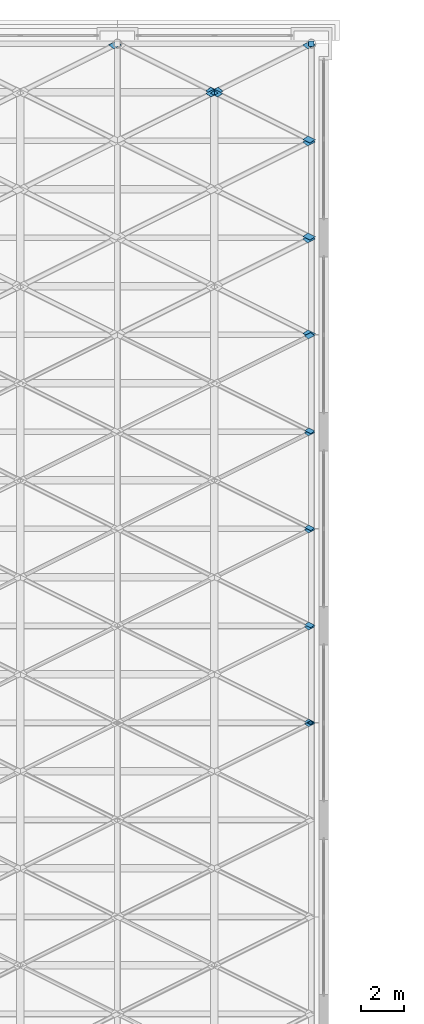
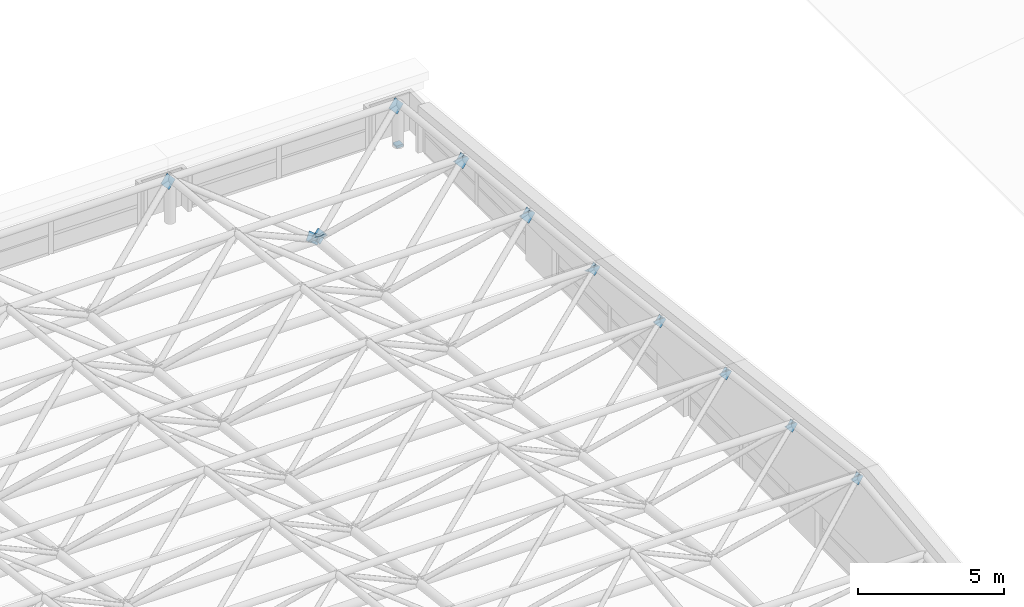
# One storey, part 51 of 53: 21 discrete accessories.
"""IFC4 building model written with IfcOpenShell, lengths in metres."""

from ifc_helpers import new_model, si_unit, direction, frame, origin, origin_2d, place, context, subcontext, project, spatial, polyline, rectangle, outline, extrude, material, layer, layer_set, type_object, element, save


model = new_model("IFC4")

# Units and contexts
model_context = context("Model", 3, precision=1e-05, world=origin(), true_north=direction((0.0, 1.0)))
body_context = subcontext(model_context, "Body", "Model", "MODEL_VIEW")
ifc_project = project(units=[si_unit("LENGTHUNIT", "METRE"), si_unit("AREAUNIT", "SQUARE_METRE"), si_unit("VOLUMEUNIT", "CUBIC_METRE"), si_unit("PLANEANGLEUNIT", "RADIAN"), si_unit("MASSUNIT", "GRAM", prefix="KILO")], contexts=[model_context])

# Site, building, storey
site_placement = place(None, origin())
site = spatial("IfcSite", under=ifc_project, at=site_placement, CompositionType="ELEMENT")
building_placement = place(site_placement, origin())
building = spatial("IfcBuilding", under=site, at=building_placement, Name="Aravalli Gate Trade Fair Centre", CompositionType="ELEMENT")
storey_placement = place(building_placement, frame((0.0, 0.0, 25.199951171875)))
storey = spatial("IfcBuildingStorey", under=building, at=storey_placement, Name="ROOF LEVEL 2", CompositionType="ELEMENT", Elevation=25.199951171875)

# Discrete accessories
ifc_material = material(Name="Steel E350", Category="steel")
discrete_accessory_type_1 = type_object("IfcDiscreteAccessoryType", Name="Bearing shoe sliding along the vault", PredefinedType="BRACKET", material=ifc_material)
discrete_accessory_1_placement = place(storey_placement, frame((105.0, 109.0, 0.0), z_axis=(0.0, 0.0, 1.0), x_axis=(1.0, 0.0, 0.0)))
element("IfcDiscreteAccessory", 1, at=discrete_accessory_1_placement, inside=storey, type_object=discrete_accessory_type_1, Name="Bearing shoe H12 (sliding)", PredefinedType="BRACKET", context=body_context, shape_type="SweptSolid", body=[
    extrude(rectangle(XDim=0.260009765625, YDim=0.260009765625, at=origin_2d()), origin(), (0.0, 0.0, 1.0), 0.10009765625),
])
ifc_layer_1 = layer(ifc_material, 0.011962890625)
ifc_layer_set_1 = layer_set([ifc_layer_1], Name="Steel E350")
discrete_accessory_type_2 = type_object("IfcDiscreteAccessoryType", Name="Gusset plate 291 x 291 x 12", PredefinedType="USERDEFINED", material=ifc_layer_set_1)
discrete_accessory_2_placement = place(storey_placement, frame((104.68603515625, 77.447998046875, 5.264892578125), z_axis=(-0.000136804439, -0.823750482353, 0.566952488404), x_axis=(0.749929392198, 0.374964696099, 0.54498383774)))
element("IfcDiscreteAccessory", 2, at=discrete_accessory_2_placement, inside=storey, type_object=discrete_accessory_type_2, Name="Gusset plate Space frame web diagonal D3D end A", ObjectType="GUSSET PLATE", PredefinedType="USERDEFINED", context=body_context, shape_type="SweptSolid", body=[
    extrude(outline(polyline([(0.0, 0.0), (0.37047758647752815, 1.3877787807814457e-17), (0.37045297092456764, -0.2904791260615137), (-2.461555296055795e-05, -0.2904791260615137), (0.0, 0.0)])), origin(), (0.0, 0.0, -1.0), 0.011962890625),
])
for number, where, z_axis, x_axis, name in (
    (3, (104.68603515625, 77.552001953125, 5.264892578125), (-0.000136804439, 0.823750482353, 0.566952488404), (0.749929392198, -0.374964696099, 0.54498383774), "Gusset plate Space frame web diagonal D4B end A"),
    (4, (104.68603515625, 82.052001953125, 4.724853515625), (-0.000136804439, 0.823750482353, 0.566952488404), (0.749929392198, -0.374964696099, 0.54498383774), "Gusset plate Space frame web diagonal D4B end A"),
):
    element("IfcDiscreteAccessory", number, at=place(storey_placement, frame(where, z_axis=z_axis, x_axis=x_axis)), inside=storey, type_object=discrete_accessory_type_2, Name=name, ObjectType="GUSSET PLATE", PredefinedType="USERDEFINED", context=body_context, shape_type="SweptSolid", body=[
        extrude(outline(polyline([(0.0, 0.0), (0.37047758647752815, -1.3877787807814457e-17), (0.37045297092456764, 0.2904791260615137), (-2.461555296055795e-05, 0.2904791260615137), (0.0, 0.0)])), origin(), (0.0, 0.0, -1.0), 0.011962890625),
    ])
for number, where, z_axis, x_axis, name in (
    (5, (104.681884765625, 81.953857421875, 4.743408203125), (-0.000259688153, -0.77158167438, 0.636130216483), (0.785986034617, 0.393126352276, 0.477155765483), "Gusset plate Space frame web diagonal D4D end A"),
    (6, (104.681884765625, 86.453857421875, 4.203369140625), (-0.000259688153, -0.77158167438, 0.636130216483), (0.785986034617, 0.393126352276, 0.477155765483), "Gusset plate Space frame web diagonal D4D end A"),
):
    element("IfcDiscreteAccessory", number, at=place(storey_placement, frame(where, z_axis=z_axis, x_axis=x_axis)), inside=storey, type_object=discrete_accessory_type_2, Name=name, ObjectType="GUSSET PLATE", PredefinedType="USERDEFINED", context=body_context, shape_type="SweptSolid", body=[
        extrude(outline(polyline([(0.0, 0.0), (0.3705660512246577, -1.3877787807814457e-17), (0.3702950470274762, -0.2905913076038385), (-0.0001750260838329909, -0.2904692096111498), (0.0, 0.0)])), origin(), (0.0, 0.0, -1.0), 0.011962890625),
    ])
discrete_accessory_3_placement = place(storey_placement, frame((104.68603515625, 86.55224609375, 4.1845703125), z_axis=(5.9235462e-05, 0.824355565608, 0.566072343383), x_axis=(0.749390667151, -0.374849001628, 0.545803860343)))
element("IfcDiscreteAccessory", 7, at=discrete_accessory_3_placement, inside=storey, type_object=discrete_accessory_type_2, Name="Gusset plate Space frame web diagonal D5B end A", ObjectType="GUSSET PLATE", PredefinedType="USERDEFINED", context=body_context, shape_type="SweptSolid", body=[
    extrude(outline(polyline([(0.0, 0.0), (0.37074391146695085, 0.0), (0.3704411936966931, 0.2905261520174016), (1.3491831181253189e-05, 0.2905369775865267), (0.0, 0.0)])), origin(), (0.0, 0.0, -1.0), 0.011962890625),
])
discrete_accessory_4_placement = place(storey_placement, frame((104.68603515625, 91.05224609375, 3.634765625), z_axis=(5.9235462e-05, 0.824355565608, 0.566072343383), x_axis=(0.749660070237, -0.374676343996, 0.545552395598)))
element("IfcDiscreteAccessory", 8, at=discrete_accessory_4_placement, inside=storey, type_object=discrete_accessory_type_2, Name="Gusset plate Space frame web diagonal D5B end A", ObjectType="GUSSET PLATE", PredefinedType="USERDEFINED", context=body_context, shape_type="SweptSolid", body=[
    extrude(outline(polyline([(0.0, 0.0), (0.3706106892622231, 1.3877787807814457e-17), (0.3705593979521325, 0.2903753701380719), (-1.4603348369723879e-06, 0.29068782905287593), (0.0, 0.0)])), origin(), (0.0, 0.0, -1.0), 0.011962890625),
])
for number, where, z_axis, x_axis, name in (
    (9, (104.681884765625, 90.953857421875, 3.653564453125), (6.9765199e-05, -0.771154883137, 0.636647580178), (0.786233023991, 0.393446013556, 0.476484906794), "Gusset plate Space frame web diagonal D5D end A"),
    (10, (104.681884765625, 95.453857421875, 3.103515625), (6.9765199e-05, -0.771154883137, 0.636647580178), (0.786233023991, 0.393446013556, 0.476484906794), "Gusset plate Space frame web diagonal D5D end A"),
):
    element("IfcDiscreteAccessory", number, at=place(storey_placement, frame(where, z_axis=z_axis, x_axis=x_axis)), inside=storey, type_object=discrete_accessory_type_2, Name=name, ObjectType="GUSSET PLATE", PredefinedType="USERDEFINED", context=body_context, shape_type="SweptSolid", body=[
        extrude(outline(polyline([(0.0, 0.0), (0.37044967171058096, -2.7755575615628914e-17), (0.3702947268495056, -0.290591407927876), (-0.0003468962829482891, -0.29044054608337494), (0.0, 0.0)])), origin(), (0.0, 0.0, -1.0), 0.011962890625),
    ])
ifc_layer_2 = layer(ifc_material, 0.011962890625)
ifc_layer_set_2 = layer_set([ifc_layer_2], Name="Steel E350")
discrete_accessory_type_3 = type_object("IfcDiscreteAccessoryType", Name="Gusset plate 367 x 367 x 12", PredefinedType="USERDEFINED", material=ifc_layer_set_2)
discrete_accessory_5_placement = place(storey_placement, frame((100.103271484375, 106.69580078125, -0.886962890625), z_axis=(-0.000292195819, 0.820164189793, 0.572128146837), x_axis=(0.753132087854, 0.376566043927, -0.539434956975)))
element("IfcDiscreteAccessory", 11, at=discrete_accessory_5_placement, inside=storey, type_object=discrete_accessory_type_3, Name="Gusset plate Space frame web diagonal D6A end B", ObjectType="GUSSET PLATE", PredefinedType="USERDEFINED", context=body_context, shape_type="SweptSolid", body=[
    extrude(outline(polyline([(0.0, 0.0), (0.4467022275054028, 2.7755575615628914e-17), (0.4466682021894723, -0.366693771917302), (-3.402531593046931e-05, -0.366693771917302), (0.0, 0.0)])), origin(), (0.0, 0.0, -1.0), 0.011962890625),
])
discrete_accessory_6_placement = place(storey_placement, frame((104.603271484375, 95.56396484375, 3.06884765625), z_axis=(5.6748583e-05, 0.820281851296, 0.571959510117), x_axis=(0.752910033129, -0.376455016564, 0.539822287904)))
element("IfcDiscreteAccessory", 12, at=discrete_accessory_6_placement, inside=storey, type_object=discrete_accessory_type_3, Name="Gusset plate Space frame web diagonal D6B end A", ObjectType="GUSSET PLATE", PredefinedType="USERDEFINED", context=body_context, shape_type="SweptSolid", body=[
    extrude(outline(polyline([(0.0, 0.0), (0.44683397278152426, 2.7755575615628914e-17), (0.446676168543117, 0.36669373954089096), (-0.0001578042384072914, 0.3666937395408909), (0.0, 0.0)])), origin(), (0.0, 0.0, -1.0), 0.011962890625),
])
discrete_accessory_7_placement = place(storey_placement, frame((104.603271484375, 100.06396484375, 2.618896484375), z_axis=(4.9126691e-05, 0.820140995503, 0.572161467667), x_axis=(0.753132104741, -0.376437815746, 0.539524423623)))
element("IfcDiscreteAccessory", 13, at=discrete_accessory_7_placement, inside=storey, type_object=discrete_accessory_type_3, Name="Gusset plate Space frame web diagonal D6B end A", ObjectType="GUSSET PLATE", PredefinedType="USERDEFINED", context=body_context, shape_type="SweptSolid", body=[
    extrude(outline(polyline([(0.0, 0.0), (0.4467022220451944, 0.0), (0.44679990563841726, 0.3665429613078707), (-3.4036236763179684e-05, 0.3666937652647241), (0.0, 0.0)])), origin(), (0.0, 0.0, -1.0), 0.011962890625),
])
discrete_accessory_8_placement = place(storey_placement, frame((104.603271484375, 104.56396484375, 2.1689453125), z_axis=(0.000292195819, 0.820164189793, 0.572128146837), x_axis=(0.753132087854, -0.376566043927, 0.539434956975)))
element("IfcDiscreteAccessory", 14, at=discrete_accessory_8_placement, inside=storey, type_object=discrete_accessory_type_3, Name="Gusset plate Space frame web diagonal D6B end A", ObjectType="GUSSET PLATE", PredefinedType="USERDEFINED", context=body_context, shape_type="SweptSolid", body=[
    extrude(outline(polyline([(0.0, 0.0), (0.4467022275054028, -2.7755575615628914e-17), (0.4466682021894723, 0.366693771917302), (-3.402531593046931e-05, 0.366693771917302), (0.0, 0.0)])), origin(), (0.0, 0.0, -1.0), 0.011962890625),
])
discrete_accessory_9_placement = place(storey_placement, frame((100.655517578125, 106.537841796875, -0.660400390625), z_axis=(0.000292195819, 0.820164189793, 0.572128146837), x_axis=(-0.753132087854, 0.376566043927, -0.539434956975)))
element("IfcDiscreteAccessory", 15, at=discrete_accessory_9_placement, inside=storey, type_object=discrete_accessory_type_3, Name="Gusset plate Space frame web diagonal D6B end B", ObjectType="GUSSET PLATE", PredefinedType="USERDEFINED", context=body_context, shape_type="SweptSolid", body=[
    extrude(outline(polyline([(0.0, 0.0), (0.4467022275054028, -2.7755575615628914e-17), (0.4467362528213333, -0.36669377191730207), (3.402531593046931e-05, -0.366693771917302), (0.0, 0.0)])), origin(), (0.0, 0.0, -1.0), 0.011962890625),
])
discrete_accessory_10_placement = place(storey_placement, frame((100.0986328125, 106.798583984375, -0.905517578125), z_axis=(-0.000106895173, -0.77673595722, 0.629826358082), x_axis=(0.783044443413, -0.391795440284, -0.483050445204)))
element("IfcDiscreteAccessory", 16, at=discrete_accessory_10_placement, inside=storey, type_object=discrete_accessory_type_3, Name="Gusset plate Space frame web diagonal D6C end B", ObjectType="GUSSET PLATE", PredefinedType="USERDEFINED", context=body_context, shape_type="SweptSolid", body=[
    extrude(outline(polyline([(0.0, 0.0), (0.4467862821424865, 0.0), (0.4468639253124893, 0.3669184164565776), (7.764317000273635e-05, 0.36691841645657763), (0.0, 0.0)])), origin(), (0.0, 0.0, -1.0), 0.011962890625),
])
for number, where, z_axis, x_axis, name in (
    (17, (104.5986328125, 99.942138671875, 2.63818359375), (0.000106895173, -0.77673595722, 0.629826358082), (0.783044443413, 0.391795440284, 0.483050445204), "Gusset plate Space frame web diagonal D6D end A"),
    (18, (104.5986328125, 104.442138671875, 2.188232421875), (0.000106895173, -0.77673595722, 0.629826358082), (0.783044443413, 0.391795440284, 0.483050445204), "Gusset plate Space frame web diagonal D6D end A"),
    (19, (95.5986328125, 108.942138671875, 1.73828125), (0.000106895173, -0.77673595722, 0.629826358082), (0.783044443413, 0.391795440284, 0.483050445204), "Gusset plate Space frame web diagonal D6D end A"),
    (20, (104.5986328125, 108.942138671875, 1.73828125), (0.000106895173, -0.77673595722, 0.629826358082), (0.783044443413, 0.391795440284, 0.483050445204), "Gusset plate Space frame web diagonal D6D end A"),
):
    element("IfcDiscreteAccessory", number, at=place(storey_placement, frame(where, z_axis=z_axis, x_axis=x_axis)), inside=storey, type_object=discrete_accessory_type_3, Name=name, ObjectType="GUSSET PLATE", PredefinedType="USERDEFINED", context=body_context, shape_type="SweptSolid", body=[
        extrude(outline(polyline([(0.0, 0.0), (0.4467862821424865, 0.0), (0.4468639253124893, -0.3669184164565776), (7.764317000273635e-05, -0.36691841645657763), (0.0, 0.0)])), origin(), (0.0, 0.0, -1.0), 0.011962890625),
    ])
discrete_accessory_11_placement = place(storey_placement, frame((100.673095703125, 106.9794921875, -0.682373046875), z_axis=(0.000106895173, -0.77673595722, 0.629826358082), x_axis=(-0.783044443413, -0.391795440284, -0.483050445204)))
element("IfcDiscreteAccessory", 21, at=discrete_accessory_11_placement, inside=storey, type_object=discrete_accessory_type_3, Name="Gusset plate Space frame web diagonal D6D end B", ObjectType="GUSSET PLATE", PredefinedType="USERDEFINED", context=body_context, shape_type="SweptSolid", body=[
    extrude(outline(polyline([(0.0, 0.0), (0.4467862821424865, 0.0), (0.4467086389724838, 0.36691841645657763), (-7.764317000273635e-05, 0.36691841645657763), (0.0, 0.0)])), origin(), (0.0, 0.0, -1.0), 0.011962890625),
])

save(model, "model.ifc")
